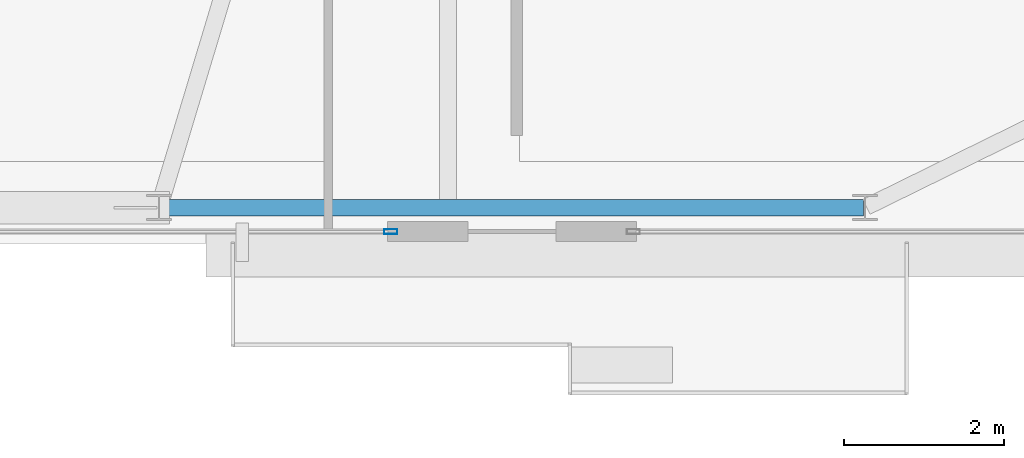
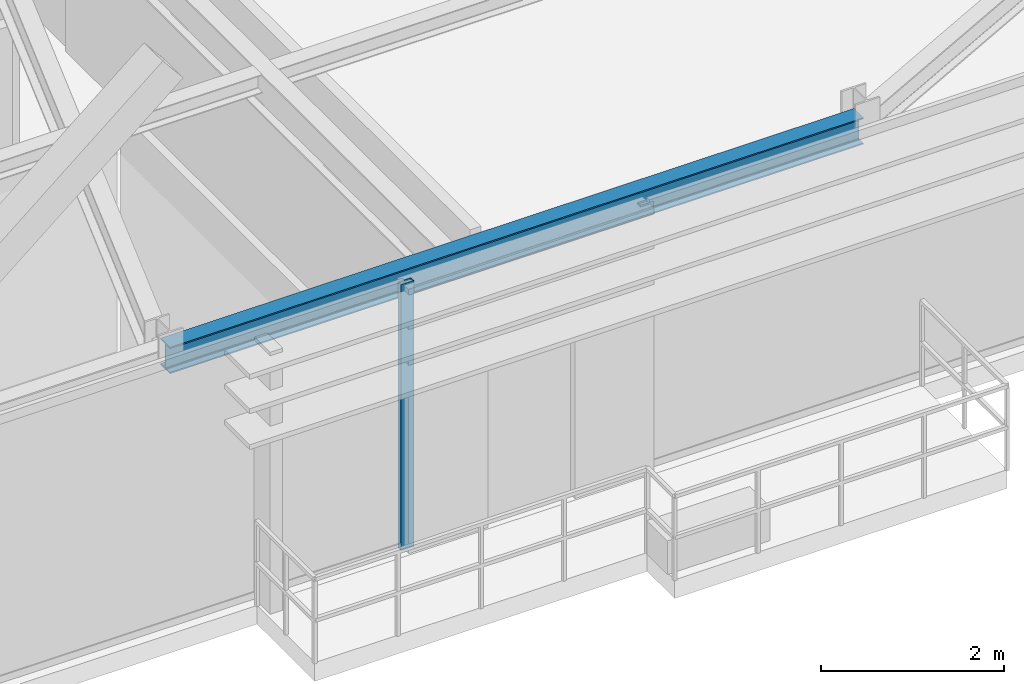
# One storey, part 7 of 25: 1 beam, 1 member, 1 element without a shape of its own.
"""IFC4 building model written with IfcOpenShell, lengths in metres."""

from ifc_helpers import new_model, si_unit, direction, frame, origin, origin_2d, place, context, subcontext, project, spatial, hollow_rectangle, i_section, extrude, source, transform, mapped, material, layer, layer_set, material_profile, profile_set, type_object, type_shapes, element, aggregate, save


model = new_model("IFC4")

# Units and contexts
model_context = context("Model", 3, precision=1e-05, world=origin(), true_north=direction((0.0, 1.0)))
body_context = subcontext(model_context, "Body", "Model", "MODEL_VIEW")
ifc_project = project(units=[si_unit("LENGTHUNIT", "METRE"), si_unit("AREAUNIT", "SQUARE_METRE"), si_unit("VOLUMEUNIT", "CUBIC_METRE"), si_unit("PLANEANGLEUNIT", "RADIAN"), si_unit("MASSUNIT", "GRAM", prefix="KILO")], contexts=[model_context])

# Site, building, storey
site_placement = place(None, origin())
site = spatial("IfcSite", under=ifc_project, at=site_placement, CompositionType="ELEMENT")
building_placement = place(site_placement, origin())
building = spatial("IfcBuilding", under=site, at=building_placement, Name="Varnel Quay Broadcast Tower", CompositionType="ELEMENT")
storey_placement = place(building_placement, frame((0.0, 0.0, 288.800048828125)))
storey = spatial("IfcBuildingStorey", under=building, at=storey_placement, Name="L72", CompositionType="ELEMENT", Elevation=288.800048828125)

# Beam
ifc_material_1 = material(Name="Structural Steel CSA G40.21 350W", Category="steel")
ifc_material_profile_1 = material_profile(ifc_material_1, i_section(OverallWidth=0.205078125, OverallDepth=0.35400390625, WebThickness=0.009521484375, FlangeThickness=0.016845703125, FilletRadius=0.012939453125, at=origin_2d()), Name="W360X79")
ifc_profile_set_1 = profile_set([ifc_material_profile_1], Name="Structural Steel CSA G40.21 350W")
beam_type = type_object("IfcBeamType", Name="Beam_W360X79", PredefinedType="SPANDREL", material=ifc_profile_set_1)
shared_shape_1 = source(origin(), body_context, "Body", "SweptSolid", [
    extrude(i_section(OverallWidth=0.205078125, OverallDepth=0.35400390625, WebThickness=0.009521484375, FlangeThickness=0.016845703125, FilletRadius=0.012939453125, at=origin_2d()), origin(), (0.0, 0.0, 1.0), 8.760009765625),
])
type_shapes(beam_type, [shared_shape_1])
beam_placement = place(storey_placement, frame((38.419921875, 13.64990234375, 3.373046875), z_axis=(1.0, 0.0, 0.0), x_axis=(0.0, 1.0, 0.0)))
element("IfcBeam", 1, at=beam_placement, inside=storey, type_object=beam_type, Name="L72 South Spandrel TC-S3-TC-S4", PredefinedType="SPANDREL", context=body_context, shape_type="MappedRepresentation", body=[
    mapped(shared_shape_1, transform((0.0, 0.0, 0.0), x_axis=(1.0, 0.0, 0.0), y_axis=(0.0, 1.0, 0.0), z_axis=(0.0, 0.0, 1.0), scale=1.0)),
])

# Curtain wall, member
ifc_material_2 = material(Name="Anodised Bronze Aluminium 6063-T6", Category="aluminium")
ifc_layer = layer(ifc_material_2, 0.18994140625, Name="Anodised Bronze Aluminium 6063-T6")
ifc_layer_set = layer_set([ifc_layer], Name="Anodised Bronze Aluminium 6063-T6")
curtain_wall_type = type_object("IfcCurtainWallType", Name="CW_UpperTower", PredefinedType="NOTDEFINED", material=ifc_layer_set)
curtain_wall_placement = place(storey_placement, origin())
curtain_wall = element("IfcCurtainWall", 2, at=curtain_wall_placement, inside=storey, type_object=curtain_wall_type, Name="L72 South Unitised Curtain Wall 2", PredefinedType="NOTDEFINED")
ifc_material_profile_2 = material_profile(ifc_material_2, hollow_rectangle(XDim=0.06494140625, YDim=0.1650390625, WallThickness=0.00341796875, at=origin_2d()), Name="ALU65X165X3.5")
ifc_profile_set_2 = profile_set([ifc_material_profile_2], Name="Anodised Bronze Aluminium 6063-T6")
member_type = type_object("IfcMemberType", Name="Mull_CWS-03", PredefinedType="MULLION", material=ifc_profile_set_2)
shared_shape_2 = source(origin(), body_context, "Body", "SweptSolid", [
    extrude(hollow_rectangle(XDim=0.06494140625, YDim=0.1650390625, WallThickness=0.00341796875, at=origin_2d()), origin(), (0.0, 0.0, 1.0), 3.550048828125),
])
type_shapes(member_type, [shared_shape_2])
member_placement = place(storey_placement, frame((41.28759765625, 13.35009765625, 0.0), z_axis=(0.0, 0.0, 1.0), x_axis=(0.0, 1.0, 0.0)))
member = element("IfcMember", 3, at=member_placement, type_object=member_type, Name="CWS-03 mullion 2", PredefinedType="MULLION", context=body_context, shape_type="MappedRepresentation", body=[
    mapped(shared_shape_2, transform((0.0, 0.0, 0.0), x_axis=(1.0, 0.0, 0.0), y_axis=(0.0, 1.0, 0.0), z_axis=(0.0, 0.0, 1.0), scale=1.0)),
])
aggregate(curtain_wall, [member])

save(model, "model.ifc")
